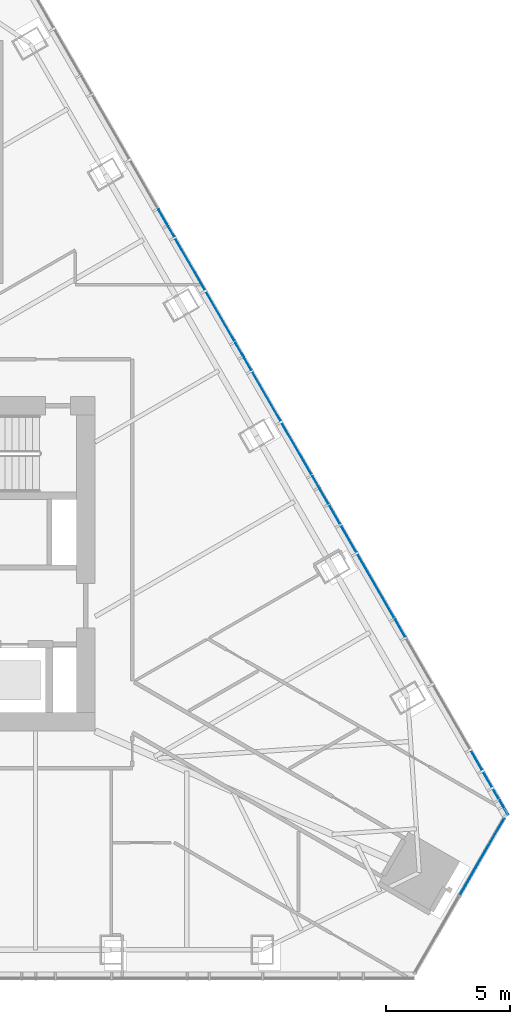
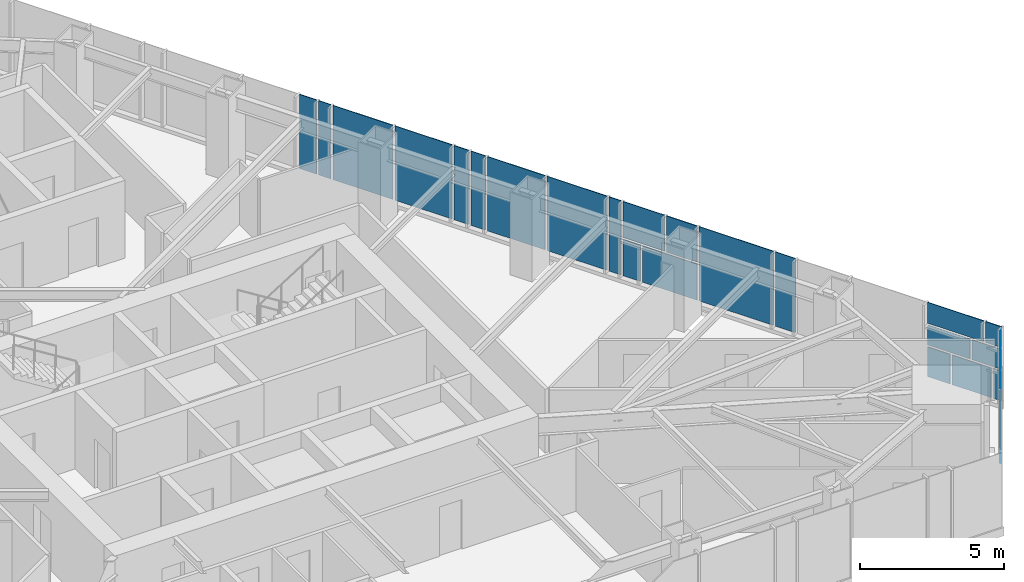
# One storey, part 12 of 18: 24 plates, 2 elements without a shape of their own.
"""IFC4 building model written with IfcOpenShell, lengths in metres."""

from ifc_helpers import new_model, si_unit, direction, frame, origin, place, context, subcontext, project, spatial, polyline, outline, extrude, material, layer, layer_set, type_object, element, aggregate, save


model = new_model("IFC4")

# Units and contexts
model_context = context("Model", 3, precision=1e-05, world=origin(), true_north=direction((0.0, 1.0)))
body_context = subcontext(model_context, "Body", "Model", "MODEL_VIEW")
ifc_project = project(units=[si_unit("LENGTHUNIT", "METRE"), si_unit("AREAUNIT", "SQUARE_METRE"), si_unit("VOLUMEUNIT", "CUBIC_METRE"), si_unit("PLANEANGLEUNIT", "RADIAN"), si_unit("MASSUNIT", "GRAM", prefix="KILO")], contexts=[model_context])

# Site, building, storey
site_placement = place(None, origin())
site = spatial("IfcSite", under=ifc_project, at=site_placement, CompositionType="ELEMENT")
building_placement = place(site_placement, origin())
building = spatial("IfcBuilding", under=site, at=building_placement, Name="Firuza Gate Tower and Library", CompositionType="ELEMENT")
storey_placement = place(building_placement, frame((0.0, 0.0, 298.60009765625)))
storey = spatial("IfcBuildingStorey", under=building, at=storey_placement, Name="L72", CompositionType="ELEMENT", Elevation=298.60009765625)

# Curtain wall, plate
ifc_material_1 = material(Name="Aluminium 6063-T6", Category="aluminium")
ifc_layer_1 = layer(ifc_material_1, 0.14990234375)
ifc_layer_set_1 = layer_set([ifc_layer_1], Name="Corner curtain wall, chamfers")
curtain_wall_type_1 = type_object("IfcCurtainWallType", Name="Corner curtain wall, chamfers", PredefinedType="NOTDEFINED", material=ifc_layer_set_1)
placement = place(storey_placement, origin())
curtain_wall_1 = element("IfcCurtainWall", 1, at=placement, inside=storey, type_object=curtain_wall_type_1, Name="CW4 L72 SE corner", PredefinedType="NOTDEFINED")
ifc_material_2 = material(Name="Fritted glass", Category="glass")
ifc_layer_2 = layer(ifc_material_2, 0.030029296875)
ifc_layer_set_2 = layer_set([ifc_layer_2], Name="Fritted glass unit, corners")
plate_type_1 = type_object("IfcPlateType", Name="Fritted glass unit, corners", PredefinedType="CURTAIN_PANEL", material=ifc_layer_set_2)
plate_1_placement = place(storey_placement, frame((98.23388671875, 61.632080078125, 0.14990234375), z_axis=(0.866016723041, -0.500015035186, 0.0), x_axis=(0.500015035186, 0.866016723041, 0.0)))
plate_1 = element("IfcPlate", 2, at=plate_1_placement, type_object=plate_type_1, Name="Glass unit", PredefinedType="CURTAIN_PANEL", context=body_context, shape_type="SweptSolid", body=[
    extrude(outline(polyline([(0.0, 0.0), (3.5633694106530625, 0.0), (3.5633694106530625, 1.5349121093749998), (0.0, 1.5349121093749998), (0.0, 0.0)])), origin(), (0.0, 0.0, -1.0), 0.030029296875),
])

# Curtain wall, plates
ifc_material_3 = material(Name="Aluminium 6063-T6", Category="aluminium")
ifc_layer_3 = layer(ifc_material_3, 0.14990234375)
ifc_layer_set_3 = layer_set([ifc_layer_3], Name="Unitised curtain wall, residences")
curtain_wall_type_2 = type_object("IfcCurtainWallType", Name="Unitised curtain wall, residences", PredefinedType="NOTDEFINED", material=ifc_layer_set_3)
curtain_wall_2 = element("IfcCurtainWall", 3, at=placement, inside=storey, type_object=curtain_wall_type_2, Name="CW3 L72 E face", PredefinedType="NOTDEFINED")
ifc_material_4 = material(Name="Fritted glass", Category="glass")
ifc_layer_4 = layer(ifc_material_4, 0.030029296875)
ifc_layer_set_4 = layer_set([ifc_layer_4], Name="Fritted glass unit, residences")
plate_type_2 = type_object("IfcPlateType", Name="Fritted glass unit, residences", PredefinedType="CURTAIN_PANEL", material=ifc_layer_set_4)
plate_2_placement = place(storey_placement, frame((100.162841796875, 64.88720703125, 0.14990234375), z_axis=(0.865920730047, 0.500181256421, 0.0), x_axis=(-0.500181256421, 0.865920730047, 0.0)))
plate_2 = element("IfcPlate", 4, at=plate_2_placement, type_object=plate_type_2, Name="Glass unit", PredefinedType="CURTAIN_PANEL", context=body_context, shape_type="SweptSolid", body=[
    extrude(outline(polyline([(0.0, 0.0), (0.33776817969717393, 0.0), (0.33776817969717393, 1.260009765625), (0.0, 1.260009765625), (0.0, 0.0)])), origin(), (0.0, 0.0, -1.0), 0.030029296875),
])
plate_3_placement = place(storey_placement, frame((99.12939453125, 66.677001953125, 0.14990234375), z_axis=(0.866082545016, 0.499901015421, 0.0), x_axis=(-0.499901015421, 0.866082545016, 0.0)))
plate_3 = element("IfcPlate", 5, at=plate_3_placement, type_object=plate_type_2, Name="Glass unit", PredefinedType="CURTAIN_PANEL", context=body_context, shape_type="SweptSolid", body=[
    extrude(outline(polyline([(0.0, 0.0), (0.9074062009419173, 0.0), (0.9074062009419173, 1.2600097656249998), (0.0, 1.2600097656249998), (0.0, 0.0)])), origin(), (0.0, 0.0, -1.0), 0.030029296875),
])
plate_4_placement = place(storey_placement, frame((99.52587890625, 65.990234375, 1.489990234375), z_axis=(0.866061263272, 0.499937884402, 0.0), x_axis=(-0.499937884402, 0.866061263272, 0.0)))
plate_4 = element("IfcPlate", 6, at=plate_4_placement, type_object=plate_type_2, Name="Glass unit", PredefinedType="CURTAIN_PANEL", context=body_context, shape_type="SweptSolid", body=[
    extrude(outline(polyline([(0.0, 0.0), (1.7004065560405857, 0.0), (1.7004065560405857, 0.844970703125), (0.0, 0.844970703125), (0.0, 0.0)])), origin(), (0.0, 0.0, -1.0), 0.030029296875),
])
plate_5_placement = place(storey_placement, frame((99.799560546875, 65.516357421875, 2.414794921875), z_axis=(0.86603545466, 0.499982590969, 0.0), x_axis=(-0.499982590969, 0.86603545466, 0.0)))
plate_5 = element("IfcPlate", 7, at=plate_5_placement, type_object=plate_type_2, Name="Glass unit", PredefinedType="CURTAIN_PANEL", context=body_context, shape_type="SweptSolid", body=[
    extrude(outline(polyline([(0.0, 0.0), (2.2476368521077736, 0.0), (2.2476368521077736, 0.885009765625), (0.0, 0.885009765625), (0.0, 0.0)])), origin(), (0.0, 0.0, -1.0), 0.030029296875),
])
plate_6_placement = place(storey_placement, frame((96.022705078125, 72.057861328125, 0.14990234375), z_axis=(0.866119736943, 0.499836574569, 0.0), x_axis=(-0.499836574569, 0.866119736943, 0.0)))
plate_6 = element("IfcPlate", 8, at=plate_6_placement, type_object=plate_type_2, Name="Glass unit", PredefinedType="CURTAIN_PANEL", context=body_context, shape_type="SweptSolid", body=[
    extrude(outline(polyline([(0.0, 0.0), (0.802508394310326, 0.0), (0.802508394310326, 3.14990234375), (0.0, 3.14990234375), (0.0, 0.0)])), origin(), (0.0, 0.0, -1.0), 0.030029296875),
])
plate_7_placement = place(storey_placement, frame((92.916259765625, 77.43896484375, 0.14990234375), z_axis=(0.865929081634, 0.500166797759, 0.0), x_axis=(-0.500166797759, 0.865929081634, 0.0)))
plate_7 = element("IfcPlate", 9, at=plate_7_placement, type_object=plate_type_2, Name="Glass unit", PredefinedType="CURTAIN_PANEL", context=body_context, shape_type="SweptSolid", body=[
    extrude(outline(polyline([(0.0, 0.0), (0.697521216298861, 0.0), (0.697521216298861, 1.5349121093750004), (0.0, 1.5349121093750004), (0.0, 0.0)])), origin(), (0.0, 0.0, -1.0), 0.030029296875),
])
plate_8_placement = place(storey_placement, frame((93.39404296875, 76.611328125, 1.764892578125), z_axis=(0.865998671098, 0.500046299512, 0.0), x_axis=(-0.500046299512, 0.865998671098, 0.0)))
plate_8 = element("IfcPlate", 10, at=plate_8_placement, type_object=plate_type_2, Name="Glass unit", PredefinedType="CURTAIN_PANEL", context=body_context, shape_type="SweptSolid", body=[
    extrude(outline(polyline([(0.0, 0.0), (1.6531672308274397, 0.0), (1.6531672308274397, 1.534912109375), (0.0, 1.534912109375), (0.0, 0.0)])), origin(), (0.0, 0.0, -1.0), 0.030029296875),
])
plate_9_placement = place(storey_placement, frame((92.52734375, 78.1123046875, 0.14990234375), z_axis=(0.865985511038, 0.5000690899, 0.0), x_axis=(-0.5000690899, 0.865985511038, 0.0)))
plate_9 = element("IfcPlate", 11, at=plate_9_placement, type_object=plate_type_2, Name="Glass unit", PredefinedType="CURTAIN_PANEL", context=body_context, shape_type="SweptSolid", body=[
    extrude(outline(polyline([(0.0, 0.0), (0.48772557492790064, 0.0), (0.48772557492790064, 3.14990234375), (0.0, 3.14990234375), (0.0, 0.0)])), origin(), (0.0, 0.0, -1.0), 0.030029296875),
])
plate_10_placement = place(storey_placement, frame((89.8095703125, 82.81982421875, 0.14990234375), z_axis=(0.865952303503, 0.500126592033, 0.0), x_axis=(-0.500126592033, 0.865952303503, 0.0)))
plate_10 = element("IfcPlate", 12, at=plate_10_placement, type_object=plate_type_2, Name="Glass unit", PredefinedType="CURTAIN_PANEL", context=body_context, shape_type="SweptSolid", body=[
    extrude(outline(polyline([(0.0, 0.0), (0.5926233946998352, 0.0), (0.5926233946998352, 3.14990234375), (0.0, 3.14990234375), (0.0, 0.0)])), origin(), (0.0, 0.0, -1.0), 0.030029296875),
])
plate_11_placement = place(storey_placement, frame((89.47314453125, 83.40234375, 0.14990234375), z_axis=(0.865952303503, 0.500126592033, 0.0), x_axis=(-0.500126592033, 0.865952303503, 0.0)))
plate_11 = element("IfcPlate", 13, at=plate_11_placement, type_object=plate_type_2, Name="Glass unit", PredefinedType="CURTAIN_PANEL", context=body_context, shape_type="SweptSolid", body=[
    extrude(outline(polyline([(0.0, 0.0), (0.5926233946998352, 0.0), (0.5926233946998352, 3.14990234375), (0.0, 3.14990234375), (0.0, 0.0)])), origin(), (0.0, 0.0, -1.0), 0.030029296875),
])
plate_12_placement = place(storey_placement, frame((86.702880859375, 88.20068359375, 0.14990234375), z_axis=(0.865985511038, 0.5000690899, 0.0), x_axis=(-0.5000690899, 0.865985511038, 0.0)))
plate_12 = element("IfcPlate", 14, at=plate_12_placement, type_object=plate_type_2, Name="Glass unit", PredefinedType="CURTAIN_PANEL", context=body_context, shape_type="SweptSolid", body=[
    extrude(outline(polyline([(0.0, 0.0), (0.48772557492790064, 0.0), (0.48772557492790064, 3.14990234375), (0.0, 3.14990234375), (0.0, 0.0)])), origin(), (0.0, 0.0, -1.0), 0.030029296875),
])
plate_13_placement = place(storey_placement, frame((86.4189453125, 88.6923828125, 0.14990234375), z_axis=(0.865929081634, 0.500166797759, 0.0), x_axis=(-0.500166797759, 0.865929081634, 0.0)))
plate_13 = element("IfcPlate", 15, at=plate_13_placement, type_object=plate_type_2, Name="Glass unit", PredefinedType="CURTAIN_PANEL", context=body_context, shape_type="SweptSolid", body=[
    extrude(outline(polyline([(0.0, 0.0), (0.697521216298861, 0.0), (0.697521216298861, 3.14990234375), (0.0, 3.14990234375), (0.0, 0.0)])), origin(), (0.0, 0.0, -1.0), 0.030029296875),
])

# Plate
ifc_material_5 = material(Name="Glazed ceramic tile")
ifc_layer_5 = layer(ifc_material_5, 0.030029296875)
ifc_layer_set_5 = layer_set([ifc_layer_5], Name="Opaque ceramic panel, corners")
plate_type_3 = type_object("IfcPlateType", Name="Opaque ceramic panel, corners", PredefinedType="CURTAIN_PANEL", material=ifc_layer_set_5)
plate_14_placement = place(storey_placement, frame((98.23388671875, 61.632080078125, 1.764892578125), z_axis=(0.866016723041, -0.500015035186, 0.0), x_axis=(0.500015035186, 0.866016723041, 0.0)))
plate_14 = element("IfcPlate", 16, at=plate_14_placement, type_object=plate_type_3, Name="Opaque ceramic panel", PredefinedType="CURTAIN_PANEL", context=body_context, shape_type="SweptSolid", body=[
    extrude(outline(polyline([(0.0, 0.0), (3.5633694106530625, 0.0), (3.5633694106530625, 1.5349121093749998), (0.0, 1.5349121093749998), (0.0, 0.0)])), origin(), (0.0, 0.0, -1.0), 0.030029296875),
])

aggregate(curtain_wall_1, [plate_1, plate_14])

ifc_material_6 = material(Name="Glazed ceramic tile")
ifc_layer_6 = layer(ifc_material_6, 0.030029296875)
ifc_layer_set_6 = layer_set([ifc_layer_6], Name="Opaque ceramic panel, residences")
plate_type_4 = type_object("IfcPlateType", Name="Opaque ceramic panel, residences", PredefinedType="CURTAIN_PANEL", material=ifc_layer_set_6)
plate_15_placement = place(storey_placement, frame((99.953857421875, 65.2490234375, 0.14990234375), z_axis=(0.866022320763, 0.500005339912, 0.0), x_axis=(-0.500005339912, 0.866022320763, 0.0)))
plate_15 = element("IfcPlate", 17, at=plate_15_placement, type_object=plate_type_4, Name="Opaque ceramic panel", PredefinedType="CURTAIN_PANEL", context=body_context, shape_type="SweptSolid", body=[
    extrude(outline(polyline([(0.0, 0.0), (1.5688309014117572, 0.0), (1.5688309014117572, 1.260009765625), (0.0, 1.260009765625), (0.0, 0.0)])), origin(), (0.0, 0.0, -1.0), 0.030029296875),
])

plate_16_placement = place(storey_placement, frame((100.162841796875, 64.88720703125, 1.489990234375), z_axis=(0.866032345022, 0.499987977232, 0.0), x_axis=(-0.499987977232, 0.866032345022, 0.0)))
plate_16 = element("IfcPlate", 18, at=plate_16_placement, type_object=plate_type_4, Name="Opaque ceramic panel", PredefinedType="CURTAIN_PANEL", context=body_context, shape_type="SweptSolid", body=[
    extrude(outline(polyline([(0.0, 0.0), (1.1938763636470529, 0.0), (1.1938763636470529, 0.844970703125), (0.0, 0.844970703125), (0.0, 0.0)])), origin(), (0.0, 0.0, -1.0), 0.030029296875),
])

plate_17_placement = place(storey_placement, frame((100.162841796875, 64.88720703125, 2.414794921875), z_axis=(0.866003189247, 0.500038474733, 0.0), x_axis=(-0.500038474733, 0.866003189247, 0.0)))
plate_17 = element("IfcPlate", 19, at=plate_17_placement, type_object=plate_type_4, Name="Opaque ceramic panel", PredefinedType="CURTAIN_PANEL", context=body_context, shape_type="SweptSolid", body=[
    extrude(outline(polyline([(0.0, 0.0), (0.6464346321999062, 0.0), (0.6464346321999062, 0.885009765625), (0.0, 0.885009765625), (0.0, 0.0)])), origin(), (0.0, 0.0, -1.0), 0.030029296875),
])

plate_18_placement = place(storey_placement, frame((95.58154296875, 72.822265625, 0.14990234375), z_axis=(0.866027015393, 0.499997208602, 0.0), x_axis=(-0.499997208602, 0.866027015393, 0.0)))
plate_18 = element("IfcPlate", 20, at=plate_18_placement, type_object=plate_type_4, Name="Opaque ceramic panel", PredefinedType="CURTAIN_PANEL", context=body_context, shape_type="SweptSolid", body=[
    extrude(outline(polyline([(0.0, 0.0), (2.9741376977512473, 0.0), (2.9741376977512473, 3.14990234375), (0.0, 3.14990234375), (0.0, 0.0)])), origin(), (0.0, 0.0, -1.0), 0.030029296875),
])

plate_19_placement = place(storey_placement, frame((94.054443359375, 75.46728515625, 0.14990234375), z_axis=(0.86601160575, 0.500023898135, 0.0), x_axis=(-0.500023898135, 0.86601160575, 0.0)))
plate_19 = element("IfcPlate", 21, at=plate_19_placement, type_object=plate_type_4, Name="Opaque ceramic panel", PredefinedType="CURTAIN_PANEL", context=body_context, shape_type="SweptSolid", body=[
    extrude(outline(polyline([(0.0, 0.0), (2.1966723510044437, 0.0), (2.1966723510044437, 1.5349121093750004), (0.0, 1.5349121093750004), (0.0, 0.0)])), origin(), (0.0, 0.0, -1.0), 0.030029296875),
])

plate_20_placement = place(storey_placement, frame((94.054443359375, 75.46728515625, 1.764892578125), z_axis=(0.866067646476, 0.499926826373, 0.0), x_axis=(-0.499926826373, 0.866067646476, 0.0)))
plate_20 = element("IfcPlate", 22, at=plate_20_placement, type_object=plate_type_4, Name="Opaque ceramic panel", PredefinedType="CURTAIN_PANEL", context=body_context, shape_type="SweptSolid", body=[
    extrude(outline(polyline([(0.0, 0.0), (1.2409042591800556, 0.0), (1.2409042591800556, 1.534912109375), (0.0, 1.534912109375), (0.0, 0.0)])), origin(), (0.0, 0.0, -1.0), 0.030029296875),
])

plate_21_placement = place(storey_placement, frame((92.243408203125, 78.60400390625, 0.14990234375), z_axis=(0.866036909293, 0.499980071345, 0.0), x_axis=(-0.499980071345, 0.866036909293, 0.0)))
plate_21 = element("IfcPlate", 23, at=plate_21_placement, type_object=plate_type_4, Name="Opaque ceramic panel", PredefinedType="CURTAIN_PANEL", context=body_context, shape_type="SweptSolid", body=[
    extrude(outline(polyline([(0.0, 0.0), (2.40634591047695, 0.0), (2.40634591047695, 3.14990234375), (0.0, 3.14990234375), (0.0, 0.0)])), origin(), (0.0, 0.0, -1.0), 0.030029296875),
])

plate_22_placement = place(storey_placement, frame((91.000244140625, 80.75732421875, 0.14990234375), z_axis=(0.866001867101, 0.500040764516, 0.0), x_axis=(-0.500040764516, 0.866001867101, 0.0)))
plate_22 = element("IfcPlate", 24, at=plate_22_placement, type_object=plate_type_4, Name="Opaque ceramic panel", PredefinedType="CURTAIN_PANEL", context=body_context, shape_type="SweptSolid", body=[
    extrude(outline(polyline([(0.0, 0.0), (2.3015701677100138, 0.0), (2.3015701677100138, 3.1499023437499996), (0.0, 3.1499023437499996), (0.0, 0.0)])), origin(), (0.0, 0.0, -1.0), 0.030029296875),
])

plate_23_placement = place(storey_placement, frame((89.136962890625, 83.98486328125, 0.14990234375), z_axis=(0.866001867101, 0.500040764516, 0.0), x_axis=(-0.500040764516, 0.866001867101, 0.0)))
plate_23 = element("IfcPlate", 25, at=plate_23_placement, type_object=plate_type_4, Name="Opaque ceramic panel", PredefinedType="CURTAIN_PANEL", context=body_context, shape_type="SweptSolid", body=[
    extrude(outline(polyline([(0.0, 0.0), (2.3015701677100138, 0.0), (2.3015701677100138, 3.1499023437499996), (0.0, 3.1499023437499996), (0.0, 0.0)])), origin(), (0.0, 0.0, -1.0), 0.030029296875),
])

plate_24_placement = place(storey_placement, frame((87.946044921875, 86.04736328125, 0.14990234375), z_axis=(0.866036909293, 0.499980071345, 0.0), x_axis=(-0.499980071345, 0.866036909293, 0.0)))
plate_24 = element("IfcPlate", 26, at=plate_24_placement, type_object=plate_type_4, Name="Opaque ceramic panel", PredefinedType="CURTAIN_PANEL", context=body_context, shape_type="SweptSolid", body=[
    extrude(outline(polyline([(0.0, 0.0), (2.40634591047695, 0.0), (2.40634591047695, 3.14990234375), (0.0, 3.14990234375), (0.0, 0.0)])), origin(), (0.0, 0.0, -1.0), 0.030029296875),
])

aggregate(curtain_wall_2, [plate_2, plate_15, plate_3, plate_16, plate_4, plate_17, plate_5, plate_6, plate_18, plate_19, plate_7, plate_20, plate_8, plate_9, plate_21, plate_22, plate_10, plate_11, plate_23, plate_24, plate_12, plate_13])

save(model, "model.ifc")
